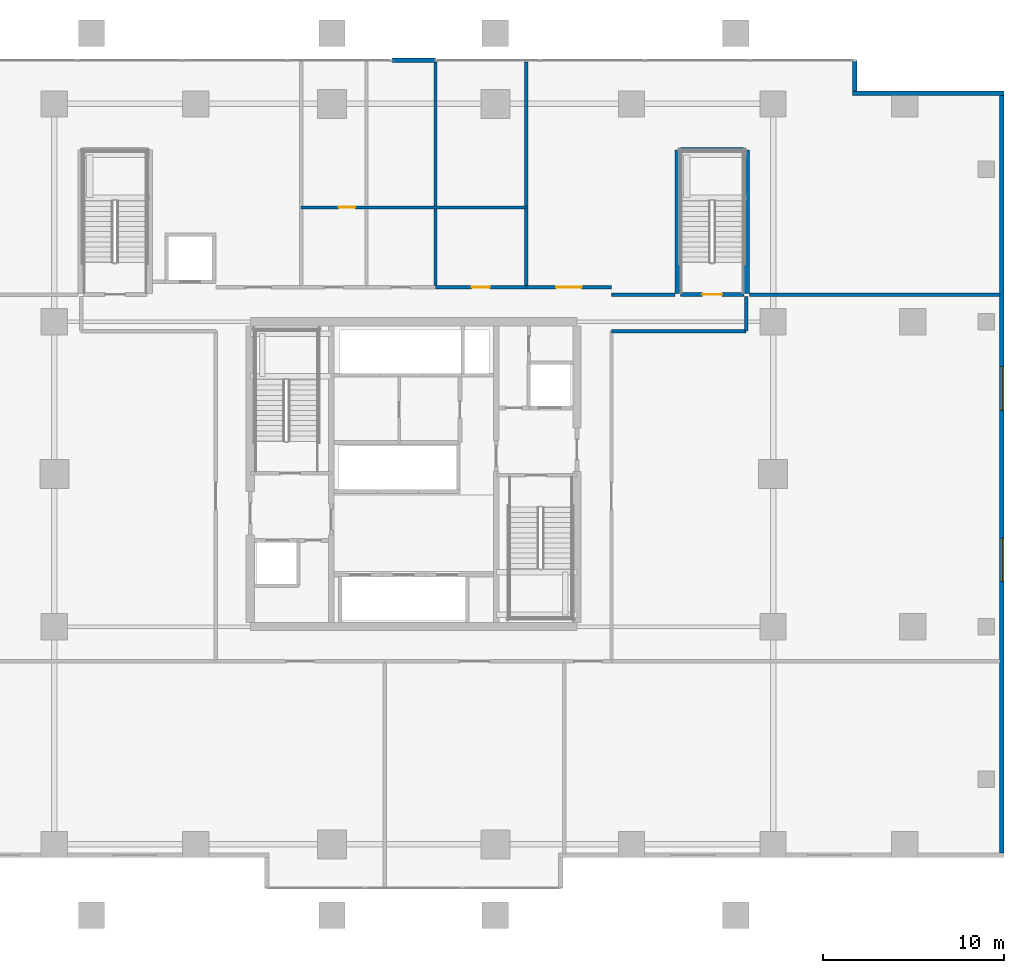
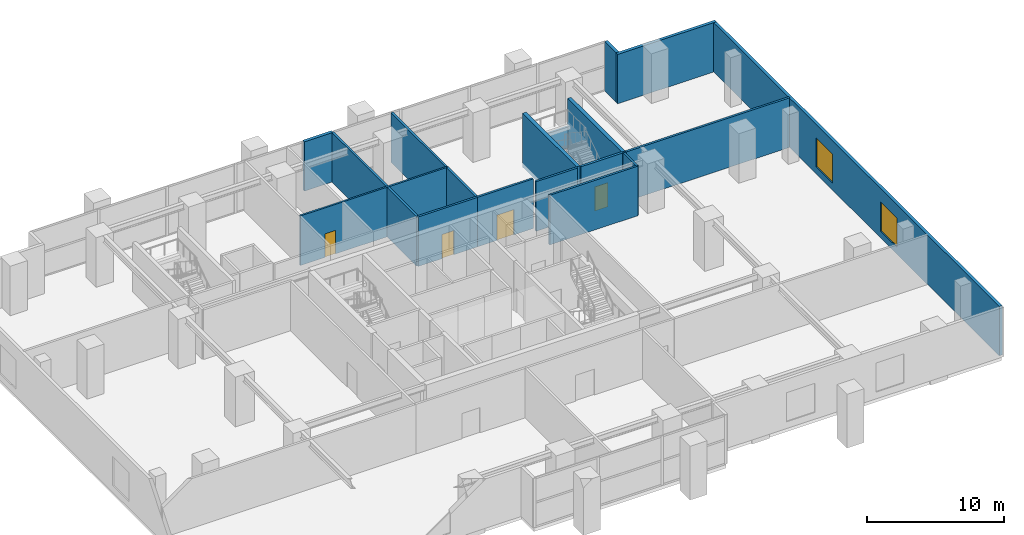
# One storey, part 15 of 20: 17 walls, 4 doors, 2 windows, 6 openings.
"""IFC4 building model written with IfcOpenShell, lengths in metres."""

from ifc_helpers import new_model, si_unit, direction, frame, frame_2d, origin, place, context, subcontext, project, spatial, rectangle, extrude, source, transform, mapped, material, layer, layer_set, type_object, element, fill, save


model = new_model("IFC4")

# Units and contexts
model_context = context("Model", 3, precision=1e-05, world=origin(), true_north=direction((0.0, 1.0)))
body_context = subcontext(model_context, "Body", "Model", "MODEL_VIEW")
ifc_project = project(units=[si_unit("LENGTHUNIT", "METRE"), si_unit("AREAUNIT", "SQUARE_METRE"), si_unit("VOLUMEUNIT", "CUBIC_METRE"), si_unit("PLANEANGLEUNIT", "RADIAN"), si_unit("MASSUNIT", "GRAM", prefix="KILO")], contexts=[model_context])

# Site, building, storey
site_placement = place(None, origin())
site = spatial("IfcSite", under=ifc_project, at=site_placement, CompositionType="ELEMENT")
building_placement = place(site_placement, origin())
building = spatial("IfcBuilding", under=site, at=building_placement, Name="Serunith Strait Residences", CompositionType="ELEMENT")
storey_placement = place(building_placement, frame((0.0, 0.0, 10.5)))
storey = spatial("IfcBuildingStorey", under=building, at=storey_placement, Name="L02", CompositionType="ELEMENT", Elevation=10.5)

# Wall, openings, windows
ifc_material_1 = material(Name="Pale-Silver Aluminium Terracotta-Backed Wall", Category="masonry")
ifc_layer_1 = layer(ifc_material_1, 0.25, Name="Pale-Silver Aluminium Terracotta-Backed Wall")
ifc_layer_set_1 = layer_set([ifc_layer_1], Name="Pale-Silver Aluminium Terracotta-Backed Wall")
wall_type_1 = type_object("IfcWallType", Name="EW-POD-250", PredefinedType="ELEMENTEDWALL", material=ifc_layer_set_1)
wall_1_placement = place(storey_placement, frame((64.800048828125, 4.324951171875, 0.0), z_axis=(0.0, 0.0, 1.0), x_axis=(0.0, 1.0, 0.0)))
wall_1 = element("IfcWall", 1, at=wall_1_placement, inside=storey, type_object=wall_type_1, Name="L02 Podium Envelope Wall 6", PredefinedType="ELEMENTEDWALL", context=body_context, shape_type="SweptSolid", body=[
    extrude(rectangle(XDim=41.75, YDim=0.25, at=frame_2d((20.875, 0.0))), origin(), (0.0, 0.0, 1.0), 4.405029296875),
])
opening_1_placement = place(wall_1_placement, frame((14.952880859375, 0.0, 0.60009765625)))
opening_1 = element("IfcOpeningElement", 2, at=opening_1_placement, cuts=wall_1, Name="Opening W-08", PredefinedType="OPENING", context=body_context, shape_type="SweptSolid", body=[
    extrude(rectangle(XDim=2.39990234375, YDim=2.60009765625, at=frame_2d((1.199951171875, 1.300048828125))), frame((0.0, 0.135009765625, 0.0), z_axis=(0.0, -1.0, 0.0), x_axis=(1.0, 0.0, 0.0)), (0.0, 0.0, 1.0), 0.27001953125),
])
opening_2_placement = place(wall_1_placement, frame((24.39697265625, 0.0, 0.60009765625)))
opening_2 = element("IfcOpeningElement", 3, at=opening_2_placement, cuts=wall_1, Name="Opening W-08", PredefinedType="OPENING", context=body_context, shape_type="SweptSolid", body=[
    extrude(rectangle(XDim=2.39990234375, YDim=2.60009765625, at=frame_2d((1.199951171875, 1.300048828125))), frame((0.0, 0.135009765625, 0.0), z_axis=(0.0, -1.0, 0.0), x_axis=(1.0, 0.0, 0.0)), (0.0, 0.0, 1.0), 0.27001953125),
])
ifc_material_2 = material(Name="Podium Club Operable Window Glass", Category="glass")
window_type = type_object("IfcWindowType", Name="WIN-POD2", PartitioningType="DOUBLE_PANEL_VERTICAL", PredefinedType="WINDOW", material=ifc_material_2)
shared_shape_1 = source(origin(), body_context, "Body", "SweptSolid", [
    extrude(rectangle(XDim=2.39990234375, YDim=2.60009765625, at=frame_2d((1.199951171875, 1.300048828125))), frame((0.0, 0.030029296875, 0.0), z_axis=(0.0, -1.0, 0.0), x_axis=(1.0, 0.0, 0.0)), (0.0, 0.0, 1.0), 0.06005859375),
])
window_1_placement = place(opening_1_placement, origin())
window_1 = element("IfcWindow", 4, at=window_1_placement, inside=storey, type_object=window_type, Name="L02 Podium Window 6A", OverallHeight=2.60009765625, OverallWidth=2.39990234375, PartitioningType="SINGLE_PANEL", PredefinedType="WINDOW", context=body_context, shape_type="MappedRepresentation", body=[
    mapped(shared_shape_1, transform((0.0, 0.0, 0.0), scale=1.0)),
])
fill(opening_1, window_1)
window_2_placement = place(opening_2_placement, origin())
window_2 = element("IfcWindow", 5, at=window_2_placement, inside=storey, type_object=window_type, Name="L02 Podium Window 6B", OverallHeight=2.60009765625, OverallWidth=2.39990234375, PartitioningType="SINGLE_PANEL", PredefinedType="WINDOW", context=body_context, shape_type="MappedRepresentation", body=[
    mapped(shared_shape_1, transform((0.0, 0.0, 0.0), scale=1.0)),
])
fill(opening_2, window_2)

# Walls
wall_2_placement = place(storey_placement, frame((64.925048828125, 46.199951171875, 0.0), z_axis=(0.0, 0.0, 1.0), x_axis=(-1.0, 0.0, 0.0)))
element("IfcWall", 6, at=wall_2_placement, inside=storey, type_object=wall_type_1, Name="L02 Podium Envelope Wall 7", PredefinedType="ELEMENTEDWALL", context=body_context, shape_type="SweptSolid", body=[
    extrude(rectangle(XDim=8.35009765625, YDim=0.25, at=frame_2d((4.175048828125, 0.0))), origin(), (0.0, 0.0, 1.0), 4.405029296875),
])
wall_3_placement = place(storey_placement, frame((56.699951171875, 46.324951171875, 0.0), z_axis=(0.0, 0.0, 1.0), x_axis=(0.0, 1.0, 0.0)))
element("IfcWall", 7, at=wall_3_placement, inside=storey, type_object=wall_type_1, Name="L02 Podium Envelope Wall 8", PredefinedType="ELEMENTEDWALL", context=body_context, shape_type="SweptSolid", body=[
    extrude(rectangle(XDim=1.675048828125, YDim=0.25, at=frame_2d((0.83740234375, 0.0))), origin(), (0.0, 0.0, 1.0), 4.405029296875),
])
wall_4_placement = place(storey_placement, frame((33.60009765625, 48.0, 0.0), z_axis=(0.0, 0.0, 1.0), x_axis=(-1.0, 0.0, 0.0)))
element("IfcWall", 8, at=wall_4_placement, inside=storey, type_object=wall_type_1, Name="L02 Podium Galleria Central Pier", PredefinedType="ELEMENTEDWALL", context=body_context, shape_type="SweptSolid", body=[
    extrude(rectangle(XDim=2.400146484375, YDim=0.25, at=frame_2d((1.2001953125, 0.0))), origin(), (0.0, 0.0, 1.0), 4.405029296875),
])

# Wall, opening, door
ifc_material_3 = material(Name="Fire-rated masonry service closet wall", Category="masonry")
ifc_layer_2 = layer(ifc_material_3, 0.14990234375, Name="Fire-rated masonry service closet wall")
ifc_layer_set_2 = layer_set([ifc_layer_2], Name="Fire-rated masonry service closet wall")
wall_type_2 = type_object("IfcWallType", Name="IW-BOH-150", PredefinedType="PARTITIONING", material=ifc_layer_set_2)
wall_5_placement = place(storey_placement, frame((26.199951171875, 39.89990234375, 0.0), z_axis=(0.0, 0.0, 1.0), x_axis=(1.0, 0.0, 0.0)))
wall_5 = element("IfcWall", 9, at=wall_5_placement, inside=storey, type_object=wall_type_2, Name="L02 Partition Wall 041", PredefinedType="PARTITIONING", context=body_context, shape_type="SweptSolid", body=[
    extrude(rectangle(XDim=12.400146484375, YDim=0.14990234375, at=frame_2d((6.2001953125, 0.0))), origin(), (0.0, 0.0, 1.0), 4.419921875),
])
opening_3_placement = place(wall_5_placement, frame((2.070068359375, 0.0, 0.0)))
opening_3 = element("IfcOpeningElement", 10, at=opening_3_placement, cuts=wall_5, Name="Opening FD-900", PredefinedType="OPENING", context=body_context, shape_type="SweptSolid", body=[
    extrude(rectangle(XDim=0.89990234375, YDim=2.10009765625, at=frame_2d((0.449951171875, 1.050048828125))), frame((0.0, 0.0849609375, 0.0), z_axis=(0.0, -1.0, 0.0), x_axis=(1.0, 0.0, 0.0)), (0.0, 0.0, 1.0), 0.169921875),
])
ifc_material_4 = material(Name="Powder-coated steel riser door", Category="steel")
door_type_1 = type_object("IfcDoorType", Name="FD-BOH-900", OperationType="NOTDEFINED", PredefinedType="DOOR", material=ifc_material_4)
shared_shape_2 = source(origin(), body_context, "Body", "SweptSolid", [
    extrude(rectangle(XDim=0.89990234375, YDim=2.10009765625, at=frame_2d((0.449951171875, 1.050048828125))), frame((0.0, 0.02490234375, 0.0), z_axis=(0.0, -1.0, 0.0), x_axis=(1.0, 0.0, 0.0)), (0.0, 0.0, 1.0), 0.050048828125),
])
door_1_placement = place(opening_3_placement, origin())
door_1 = element("IfcDoor", 11, at=door_1_placement, inside=storey, type_object=door_type_1, Name="L02 Linen Store Door", OperationType="SINGLE_SWING_RIGHT", OverallHeight=2.10009765625, OverallWidth=0.89990234375, PredefinedType="DOOR", context=body_context, shape_type="MappedRepresentation", body=[
    mapped(shared_shape_2, transform((0.0, 0.0, 0.0), scale=1.0)),
])
fill(opening_3, door_1)

# Walls
ifc_material_5 = material(Name="Fire-rated acoustic gypsum partition")
ifc_layer_3 = layer(ifc_material_5, 0.179931640625, Name="Fire-rated acoustic gypsum partition")
ifc_layer_set_3 = layer_set([ifc_layer_3], Name="Fire-rated acoustic gypsum partition")
wall_type_3 = type_object("IfcWallType", Name="IW-CORR-180", PredefinedType="PARTITIONING", material=ifc_layer_set_3)
wall_6_placement = place(storey_placement, frame((43.300048828125, 35.080078125, 0.0), z_axis=(0.0, 0.0, 1.0), x_axis=(1.0, 0.0, 0.0)))
element("IfcWall", 12, at=wall_6_placement, inside=storey, type_object=wall_type_3, Name="L02 Partition Wall 020", PredefinedType="PARTITIONING", context=body_context, shape_type="SweptSolid", body=[
    extrude(rectangle(XDim=3.5, YDim=0.179931640625, at=frame_2d((1.75, 0.0))), origin(), (0.0, 0.0, 1.0), 4.419921875),
])
wall_7_placement = place(storey_placement, frame((43.300048828125, 33.080078125, 0.0), z_axis=(0.0, 0.0, 1.0), x_axis=(1.0, 0.0, 0.0)))
element("IfcWall", 13, at=wall_7_placement, inside=storey, type_object=wall_type_3, Name="L02 Partition Wall 021", PredefinedType="PARTITIONING", context=body_context, shape_type="SweptSolid", body=[
    extrude(rectangle(XDim=7.419921875, YDim=0.179931640625, at=frame_2d((3.7099609375, 0.0))), origin(), (0.0, 0.0, 1.0), 4.419921875),
])
wall_8_placement = place(storey_placement, frame((50.89990234375, 35.080078125, 0.0), z_axis=(0.0, 0.0, 1.0), x_axis=(1.0, 0.0, 0.0)))
element("IfcWall", 14, at=wall_8_placement, inside=storey, type_object=wall_type_3, Name="L02 Partition Wall 022", PredefinedType="PARTITIONING", context=body_context, shape_type="SweptSolid", body=[
    extrude(rectangle(XDim=13.818115234375, YDim=0.179931640625, at=frame_2d((6.9091796875, 0.0))), origin(), (0.0, 0.0, 1.0), 4.419921875),
])
wall_9_placement = place(storey_placement, frame((50.719970703125, 33.080078125, 0.0), z_axis=(0.0, 0.0, 1.0), x_axis=(0.0, 1.0, 0.0)))
element("IfcWall", 15, at=wall_9_placement, inside=storey, type_object=wall_type_3, Name="L02 Partition Wall 024", PredefinedType="PARTITIONING", context=body_context, shape_type="SweptSolid", body=[
    extrude(rectangle(XDim=1.919921875, YDim=0.179931640625, at=frame_2d((0.9599609375, 0.0))), origin(), (0.0, 0.0, 1.0), 4.419921875),
])
for number, where, z_axis, x_axis, name in (
    (16, (33.60009765625, 35.5, 0.0), (0.0, 0.0, 1.0), (0.0, 1.0, 0.0), "L02 Partition Wall 029"),
    (17, (38.60009765625, 35.5, 0.0), (0.0, 0.0, 1.0), (0.0, 1.0, 0.0), "L02 Partition Wall 030"),
):
    element("IfcWall", number, at=place(storey_placement, frame(where, z_axis=z_axis, x_axis=x_axis)), inside=storey, type_object=wall_type_3, Name=name, PredefinedType="PARTITIONING", context=body_context, shape_type="SweptSolid", body=[
        extrude(rectangle(XDim=12.41796875, YDim=0.179931640625, at=frame_2d((6.208984375, 0.0))), origin(), (0.0, 0.0, 1.0), 4.419921875),
    ])

# Wall, opening, door
wall_10_placement = place(storey_placement, frame((33.60205078125, 35.5, 0.0), z_axis=(0.0, 0.0, 1.0), x_axis=(1.0, 0.0, 0.0)))
wall_10 = element("IfcWall", 18, at=wall_10_placement, inside=storey, type_object=wall_type_3, Name="L02 Partition Wall 037", PredefinedType="PARTITIONING", context=body_context, shape_type="SweptSolid", body=[
    extrude(rectangle(XDim=4.998046875, YDim=0.179931640625, at=frame_2d((2.4990234375, 0.0))), origin(), (0.0, 0.0, 1.0), 4.419921875),
])
opening_4_placement = place(wall_10_placement, frame((1.9990234375, 0.0, 0.0)))
opening_4 = element("IfcOpeningElement", 19, at=opening_4_placement, cuts=wall_10, Name="Opening D-APT1000", PredefinedType="OPENING", context=body_context, shape_type="SweptSolid", body=[
    extrude(rectangle(XDim=1.0, YDim=2.14990234375, at=frame_2d((0.5, 1.074951171875))), frame((0.0, 0.10009765625, 0.0), z_axis=(0.0, -1.0, 0.0), x_axis=(1.0, 0.0, 0.0)), (0.0, 0.0, 1.0), 0.199951171875),
])
ifc_material_6 = material(Name="Solid timber engineered fire door", Category="wood")
door_type_2 = type_object("IfcDoorType", Name="ID-APT-1000", OperationType="NOTDEFINED", PredefinedType="DOOR", material=ifc_material_6)
shared_shape_3 = source(origin(), body_context, "Body", "SweptSolid", [
    extrude(rectangle(XDim=1.0, YDim=2.14990234375, at=frame_2d((0.5, 1.074951171875))), frame((0.0, 0.02490234375, 0.0), z_axis=(0.0, -1.0, 0.0), x_axis=(1.0, 0.0, 0.0)), (0.0, 0.0, 1.0), 0.050048828125),
])
door_2_placement = place(opening_4_placement, origin())
door_2 = element("IfcDoor", 20, at=door_2_placement, inside=storey, type_object=door_type_2, Name="L02 Public Female WC Door", OperationType="SINGLE_SWING_RIGHT", OverallHeight=2.14990234375, OverallWidth=1.0, PredefinedType="DOOR", context=body_context, shape_type="MappedRepresentation", body=[
    mapped(shared_shape_3, transform((0.0, 0.0, 0.0), scale=1.0)),
])
fill(opening_4, door_2)

wall_11_placement = place(storey_placement, frame((38.60205078125, 35.5, 0.0), z_axis=(0.0, 0.0, 1.0), x_axis=(1.0, 0.0, 0.0)))
wall_11 = element("IfcWall", 21, at=wall_11_placement, inside=storey, type_object=wall_type_3, Name="L02 Partition Wall 038", PredefinedType="PARTITIONING", context=body_context, shape_type="SweptSolid", body=[
    extrude(rectangle(XDim=4.697998046875, YDim=0.179931640625, at=frame_2d((2.34912109375, 0.0))), origin(), (0.0, 0.0, 1.0), 4.419921875),
])
opening_5_placement = place(wall_11_placement, frame((1.64892578125, 0.0, 0.0)))
opening_5 = element("IfcOpeningElement", 22, at=opening_5_placement, cuts=wall_11, Name="Opening D-POD1400", PredefinedType="OPENING", context=body_context, shape_type="SweptSolid", body=[
    extrude(rectangle(XDim=1.39990234375, YDim=2.25, at=frame_2d((0.699951171875, 1.125))), frame((0.0, 0.10009765625, 0.0), z_axis=(0.0, -1.0, 0.0), x_axis=(1.0, 0.0, 0.0)), (0.0, 0.0, 1.0), 0.199951171875),
])
ifc_material_7 = material(Name="Pale-champagne aluminium glazed suite door", Category="aluminium")
door_type_3 = type_object("IfcDoorType", Name="ID-POD-1400", OperationType="DOUBLE_DOOR_SINGLE_SWING", PredefinedType="DOOR", material=ifc_material_7)
shared_shape_4 = source(origin(), body_context, "Body", "SweptSolid", [
    extrude(rectangle(XDim=1.39990234375, YDim=2.25, at=frame_2d((0.699951171875, 1.125))), frame((0.0, 0.02490234375, 0.0), z_axis=(0.0, -1.0, 0.0), x_axis=(1.0, 0.0, 0.0)), (0.0, 0.0, 1.0), 0.050048828125),
])
door_3_placement = place(opening_5_placement, origin())
door_3 = element("IfcDoor", 23, at=door_3_placement, inside=storey, type_object=door_type_3, Name="L02 North-East Room Door", OperationType="DOUBLE_DOOR_SINGLE_SWING", OverallHeight=2.25, OverallWidth=1.39990234375, PredefinedType="DOOR", context=body_context, shape_type="MappedRepresentation", body=[
    mapped(shared_shape_4, transform((0.0, 0.0, 0.0), scale=1.0)),
])
fill(opening_5, door_3)

ifc_material_8 = material(Name="Autoclaved aerated concrete blockwork", Category="masonry")
ifc_layer_4 = layer(ifc_material_8, 0.199951171875, Name="Autoclaved aerated concrete blockwork")
ifc_layer_set_4 = layer_set([ifc_layer_4], Name="Autoclaved aerated concrete blockwork")
wall_type_4 = type_object("IfcWallType", Name="IW-SHAFT-200", PredefinedType="STANDARD", material=ifc_layer_set_4)
wall_12_placement = place(storey_placement, frame((47.10009765625, 35.10009765625, 0.0), z_axis=(0.0, 0.0, 1.0), x_axis=(1.0, 0.0, 0.0)))
wall_12 = element("IfcWall", 24, at=wall_12_placement, inside=storey, type_object=wall_type_4, Name="L02 ST-4 South Shaft Wall", PredefinedType="STANDARD", context=body_context, shape_type="SweptSolid", body=[
    extrude(rectangle(XDim=3.5, YDim=0.199951171875, at=frame_2d((1.75, 0.0))), origin(), (0.0, 0.0, 1.0), 4.419921875),
])
opening_6_placement = place(wall_12_placement, frame((1.199951171875, 0.0, 0.0)))
opening_6 = element("IfcOpeningElement", 25, at=opening_6_placement, cuts=wall_12, Name="Opening FD-1100", PredefinedType="OPENING", context=body_context, shape_type="SweptSolid", body=[
    extrude(rectangle(XDim=1.10009765625, YDim=2.14990234375, at=frame_2d((0.550048828125, 1.074951171875))), frame((0.0, 0.10986328125, 0.0), z_axis=(0.0, -1.0, 0.0), x_axis=(1.0, 0.0, 0.0)), (0.0, 0.0, 1.0), 0.219970703125),
])
ifc_material_9 = material(Name="Galvanised steel fire door leaf", Category="steel")
door_type_4 = type_object("IfcDoorType", Name="FD-STAIR-1100", OperationType="NOTDEFINED", PredefinedType="DOOR", material=ifc_material_9)
shared_shape_5 = source(origin(), body_context, "Body", "SweptSolid", [
    extrude(rectangle(XDim=1.10009765625, YDim=2.14990234375, at=frame_2d((0.550048828125, 1.074951171875))), frame((0.0, 0.02490234375, 0.0), z_axis=(0.0, -1.0, 0.0), x_axis=(1.0, 0.0, 0.0)), (0.0, 0.0, 1.0), 0.050048828125),
])
door_4_placement = place(opening_6_placement, origin())
door_4 = element("IfcDoor", 26, at=door_4_placement, inside=storey, type_object=door_type_4, Name="L02 ST-4 Escape Stair Door", OperationType="SINGLE_SWING_LEFT", OverallHeight=2.14990234375, OverallWidth=1.10009765625, PredefinedType="DOOR", context=body_context, shape_type="MappedRepresentation", body=[
    mapped(shared_shape_5, transform((0.0, 0.0, 0.0), scale=1.0)),
])
fill(opening_6, door_4)

# Walls
wall_13_placement = place(storey_placement, frame((47.10009765625, 43.10009765625, 0.0), z_axis=(0.0, 0.0, 1.0), x_axis=(1.0, 0.0, 0.0)))
element("IfcWall", 27, at=wall_13_placement, inside=storey, type_object=wall_type_4, Name="L02 ST-4 North Shaft Wall", PredefinedType="STANDARD", context=body_context, shape_type="SweptSolid", body=[
    extrude(rectangle(XDim=3.5, YDim=0.199951171875, at=frame_2d((1.75, 0.0))), origin(), (0.0, 0.0, 1.0), 1.885009765625),
])
ifc_material_10 = material(Name="Concrete C60/75", Category="concrete")
ifc_layer_5 = layer(ifc_material_10, 0.300048828125, Name="Concrete C60/75")
ifc_layer_set_5 = layer_set([ifc_layer_5], Name="Concrete C60/75")
wall_type_5 = type_object("IfcWallType", Name="SW-300-C60", PredefinedType="SHEAR", material=ifc_layer_set_5)
for number, where, z_axis, x_axis, name in (
    (28, (46.949951171875, 35.14990234375, -0.3798828125), (0.0, 0.0, 1.0), (0.0, 1.0, 0.0), "L02 ST-4 West Structural Shaft Wall"),
    (29, (50.75, 35.14990234375, -0.3798828125), (0.0, 0.0, 1.0), (0.0, 1.0, 0.0), "L02 ST-4 East Structural Shaft Wall"),
):
    element("IfcWall", number, at=place(storey_placement, frame(where, z_axis=z_axis, x_axis=x_axis)), inside=storey, type_object=wall_type_5, Name=name, PredefinedType="SHEAR", context=body_context, shape_type="SweptSolid", body=[
        extrude(rectangle(XDim=7.900146484375, YDim=0.300048828125, at=frame_2d((3.9501953125, 0.0))), origin(), (0.0, 0.0, 1.0), 4.7978515625),
    ])

save(model, "model.ifc")
